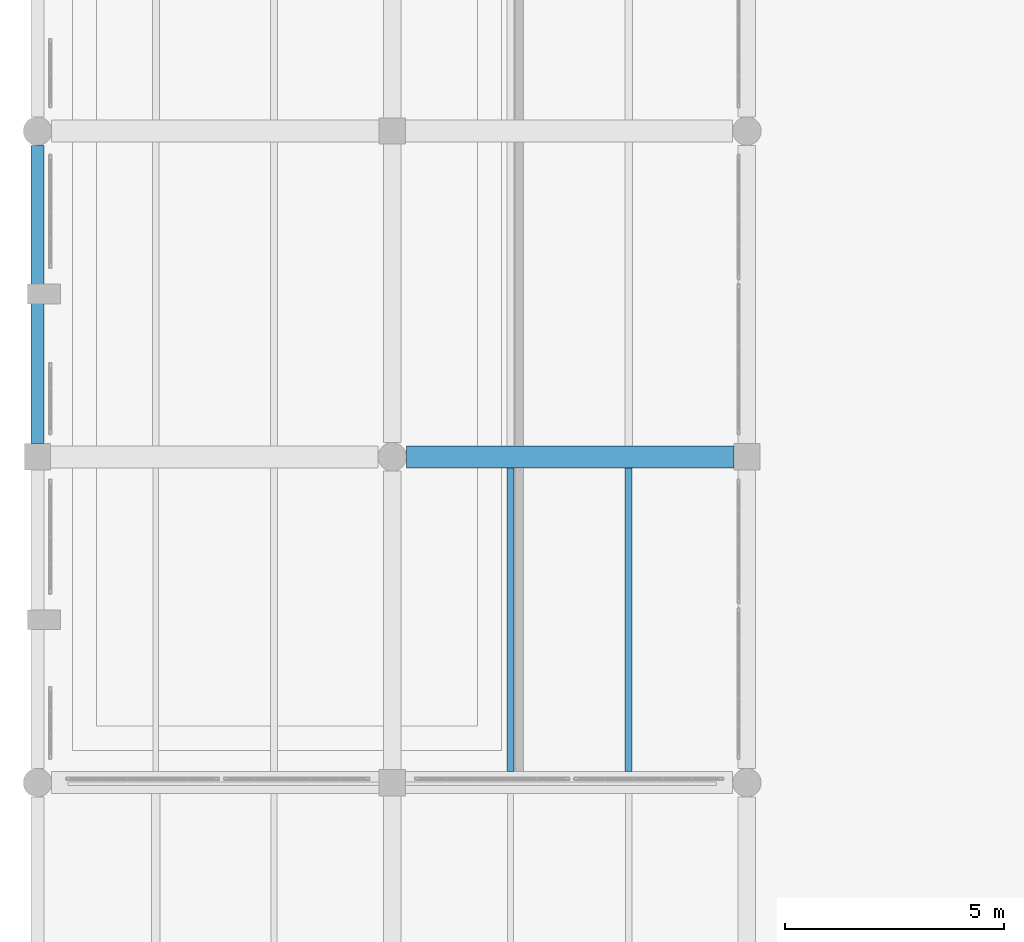
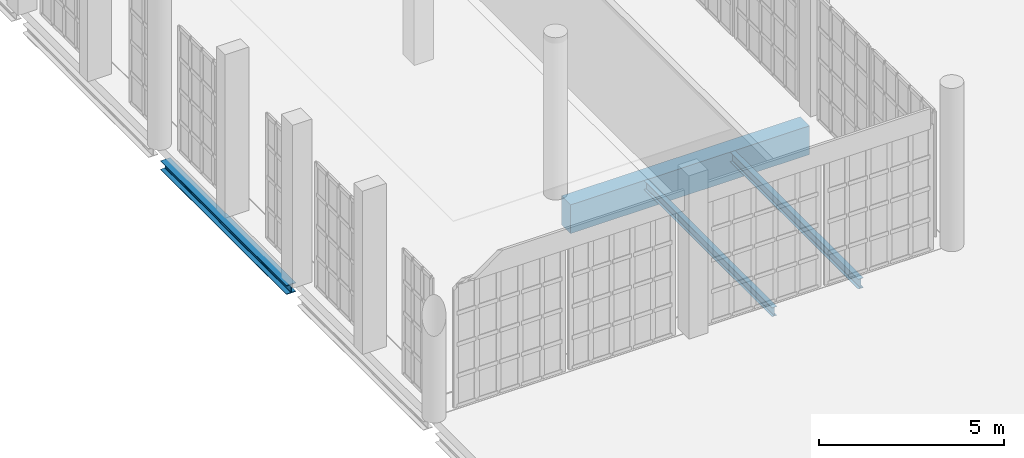
# One storey, part 64 of 372: 4 beams.
"""IFC4 building model written with IfcOpenShell, lengths in metres."""

from ifc_helpers import new_model, si_unit, direction, frame, origin, origin_2d, place, context, subcontext, project, spatial, rectangle, i_section, extrude, material, material_profile, profile_set, type_object, element, save


model = new_model("IFC4")

# Units and contexts
model_context = context("Model", 3, precision=1e-05, world=origin(), true_north=direction((0.0, 1.0)))
body_context = subcontext(model_context, "Body", "Model", "MODEL_VIEW")
ifc_project = project(units=[si_unit("LENGTHUNIT", "METRE"), si_unit("AREAUNIT", "SQUARE_METRE"), si_unit("VOLUMEUNIT", "CUBIC_METRE"), si_unit("PLANEANGLEUNIT", "RADIAN"), si_unit("MASSUNIT", "GRAM", prefix="KILO")], contexts=[model_context])

# Site, building, storey
site_placement = place(None, origin())
site = spatial("IfcSite", under=ifc_project, at=site_placement, CompositionType="ELEMENT")
building_placement = place(site_placement, origin())
building = spatial("IfcBuilding", under=site, at=building_placement, Name="Kaelora Sail Theatre", CompositionType="ELEMENT")
storey_placement = place(building_placement, origin())
storey = spatial("IfcBuildingStorey", under=building, at=storey_placement, Name="L00", CompositionType="ELEMENT", Elevation=0.0)

# Beams
ifc_material_1 = material(Name="Concrete C45/55", Category="concrete")
ifc_material_profile_1 = material_profile(ifc_material_1, rectangle(XDim=0.5, YDim=0.949951171875, at=origin_2d()), Name="RC-GRD 500x950")
ifc_profile_set_1 = profile_set([ifc_material_profile_1], Name="Concrete C45/55")
beam_type_1 = type_object("IfcBeamType", Name="STR-BM-GR-RC5095", PredefinedType="T_BEAM", material=ifc_profile_set_1)
beam_1_placement = place(storey_placement, frame((9.925048828125, 38.699951171875, -0.794921875), z_axis=(1.0, 0.0, 0.0), x_axis=(0.0, 1.0, 0.0)))
element("IfcBeam", 1, at=beam_1_placement, inside=storey, type_object=beam_type_1, Name="Primary beam F 2-3 (L00)", PredefinedType="T_BEAM", context=body_context, shape_type="SweptSolid", body=[
    extrude(rectangle(XDim=0.5, YDim=0.949951171875, at=origin_2d()), origin(), (0.0, 0.0, 1.0), 7.474853515625),
])
ifc_material_2 = material(Name="Steel S355", Category="steel")
ifc_material_profile_2 = material_profile(ifc_material_2, i_section(OverallWidth=0.14990234375, OverallDepth=0.300048828125, WebThickness=0.007080078125, FlangeThickness=0.0107421875, FilletRadius=0.014892578125, at=origin_2d()), Name="IPE 300")
ifc_profile_set_2 = profile_set([ifc_material_profile_2], Name="Steel S355")
beam_type_2 = type_object("IfcBeamType", Name="STR-BM-JS-IPE300", PredefinedType="JOIST", material=ifc_profile_set_2)
beam_2_placement = place(storey_placement, frame((12.300048828125, 31.510009765625, -0.469970703125), z_axis=(0.0, 1.0, 0.0), x_axis=(-1.0, 0.0, 0.0)))
element("IfcBeam", 2, at=beam_2_placement, inside=storey, type_object=beam_type_2, Name="Secondary floor joist 2/E-1 (L00)", PredefinedType="JOIST", context=body_context, shape_type="SweptSolid", body=[
    extrude(i_section(OverallWidth=0.14990234375, OverallDepth=0.300048828125, WebThickness=0.007080078125, FlangeThickness=0.0107421875, FilletRadius=0.014892578125, at=origin_2d()), origin(), (0.0, 0.0, 1.0), 6.93994140625),
])
ifc_material_3 = material(Name="Steel S355", Category="steel")
ifc_material_profile_3 = material_profile(ifc_material_3, i_section(OverallWidth=0.159912109375, OverallDepth=0.330078125, WebThickness=0.007568359375, FlangeThickness=0.011474609375, FilletRadius=0.01806640625, at=origin_2d()), Name="IPE 330")
ifc_profile_set_3 = profile_set([ifc_material_profile_3], Name="Steel S355")
beam_type_3 = type_object("IfcBeamType", Name="STR-BM-JS-IPE330", PredefinedType="JOIST", material=ifc_profile_set_3)
beam_3_placement = place(storey_placement, frame((15.0, 31.510009765625, -0.485107421875), z_axis=(0.0, 1.0, 0.0), x_axis=(-1.0, 0.0, 0.0)))
element("IfcBeam", 3, at=beam_3_placement, inside=storey, type_object=beam_type_3, Name="Secondary floor joist 2/E-2 (L00)", PredefinedType="JOIST", context=body_context, shape_type="SweptSolid", body=[
    extrude(i_section(OverallWidth=0.159912109375, OverallDepth=0.330078125, WebThickness=0.007568359375, FlangeThickness=0.011474609375, FilletRadius=0.01806640625, at=origin_2d()), origin(), (0.0, 0.0, 1.0), 6.93994140625),
])
ifc_material_4 = material(Name="Steel S355", Category="steel")
ifc_material_profile_4 = material_profile(ifc_material_4, i_section(OverallWidth=0.300048828125, OverallDepth=0.300048828125, WebThickness=0.010986328125, FlangeThickness=0.01904296875, FilletRadius=0.027099609375, at=origin_2d()), Name="HEB 300")
ifc_profile_set_4 = profile_set([ifc_material_profile_4], Name="Steel S355")
beam_type_4 = type_object("IfcBeamType", Name="STR-BM-SP-HEB300", PredefinedType="SPANDREL", material=ifc_profile_set_4)
beam_4_placement = place(storey_placement, frame((1.5, 39.0, -0.469970703125), z_axis=(0.0, 1.0, 0.0), x_axis=(-1.0, 0.0, 0.0)))
element("IfcBeam", 4, at=beam_4_placement, inside=storey, type_object=beam_type_4, Name="Primary beam 1 F-G (L00)", PredefinedType="SPANDREL", context=body_context, shape_type="SweptSolid", body=[
    extrude(i_section(OverallWidth=0.300048828125, OverallDepth=0.300048828125, WebThickness=0.010986328125, FlangeThickness=0.01904296875, FilletRadius=0.027099609375, at=origin_2d()), origin(), (0.0, 0.0, 1.0), 6.81494140625),
])

save(model, "model.ifc")
